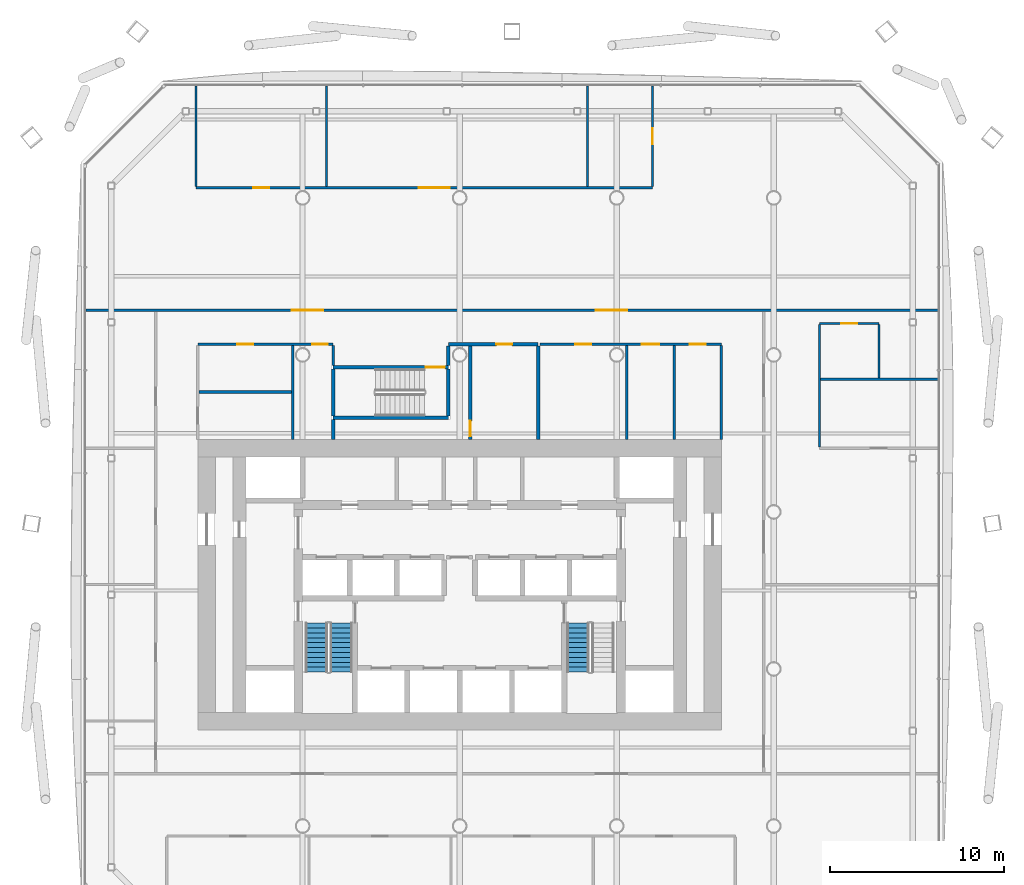
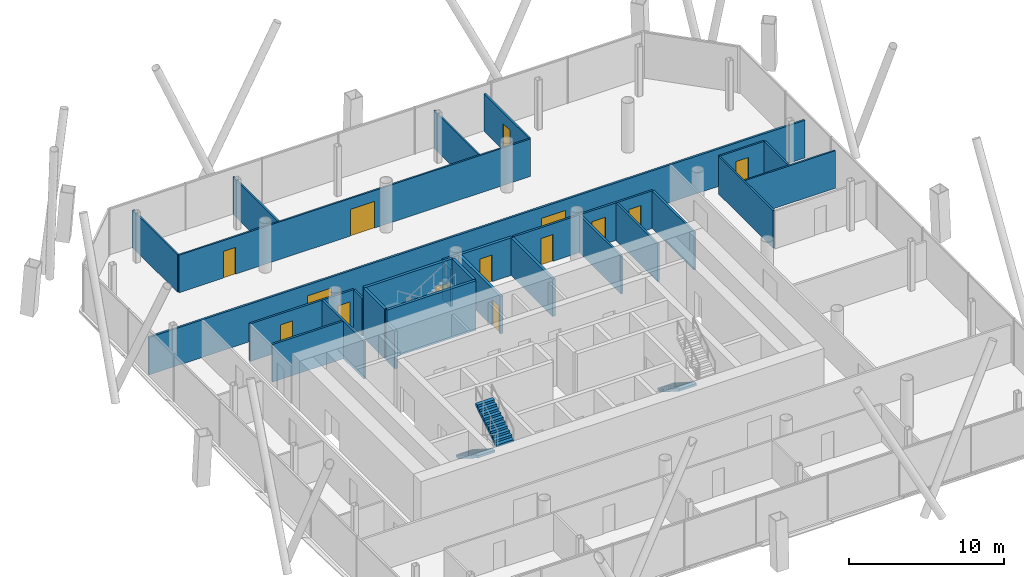
# One storey, part 16 of 22: 27 walls, 14 doors, 3 stair flights, 14 openings, 2 elements without a shape of their own.
"""IFC4 building model written with IfcOpenShell, lengths in metres."""

from ifc_helpers import new_model, si_unit, direction, frame, frame_2d, origin, place, context, subcontext, project, spatial, polyline, rectangle, outline, extrude, material, layer, layer_set, type_object, element, fill, aggregate, save


model = new_model("IFC4")

# Units and contexts
model_context = context("Model", 3, precision=1e-05, world=origin(), true_north=direction((0.0, 1.0)))
body_context = subcontext(model_context, "Body", "Model", "MODEL_VIEW")
ifc_project = project(units=[si_unit("LENGTHUNIT", "METRE"), si_unit("AREAUNIT", "SQUARE_METRE"), si_unit("VOLUMEUNIT", "CUBIC_METRE"), si_unit("PLANEANGLEUNIT", "RADIAN"), si_unit("MASSUNIT", "GRAM", prefix="KILO")], contexts=[model_context])

# Site, building, storey
site_placement = place(None, origin())
site = spatial("IfcSite", under=ifc_project, at=site_placement, CompositionType="ELEMENT")
building_placement = place(site_placement, origin())
building = spatial("IfcBuilding", under=site, at=building_placement, Name="Tskaro Facet Tower", CompositionType="ELEMENT")
storey_placement = place(building_placement, frame((0.0, 0.0, 85.5)))
storey = spatial("IfcBuildingStorey", under=building, at=storey_placement, Name="L20", CompositionType="ELEMENT", Elevation=85.5)

# Wall
ifc_material_1 = material(Name="Gypsum board on steel studs", Category="steel")
ifc_layer_1 = layer(ifc_material_1, 0.125, Name="Gypsum board on steel studs")
ifc_layer_set_1 = layer_set([ifc_layer_1], Name="Gypsum board on steel studs")
wall_type_1 = type_object("IfcWallType", Name="PART", PredefinedType="PARTITIONING", material=ifc_layer_set_1)
wall_1_placement = place(storey_placement, frame((20.6875, 7.60107421875, 0.0), z_axis=(0.0, 0.0, 1.0), x_axis=(1.0, 0.0, 0.0)))
element("IfcWall", 1, at=wall_1_placement, inside=storey, type_object=wall_type_1, Name="Partition W020", PredefinedType="PARTITIONING", context=body_context, shape_type="SweptSolid", body=[
    extrude(rectangle(XDim=6.7255859375, YDim=0.125, at=frame_2d((3.36279296875, 0.0))), origin(), (0.0, 0.0, 1.0), 2.9599609375),
])

# Wall, opening, door
wall_2_placement = place(storey_placement, frame((24.02490234375, 10.801025390625, 0.0), z_axis=(0.0, 0.0, 1.0), x_axis=(-1.0, 0.0, 0.0)))
wall_2 = element("IfcWall", 2, at=wall_2_placement, inside=storey, type_object=wall_type_1, Name="Partition W025", PredefinedType="PARTITIONING", context=body_context, shape_type="SweptSolid", body=[
    extrude(rectangle(XDim=3.39990234375, YDim=0.125, at=frame_2d((1.699951171875, 0.0))), origin(), (0.0, 0.0, 1.0), 2.9599609375),
])
opening_1_placement = place(wall_2_placement, frame((1.25, 0.0, 0.0)))
opening_1 = element("IfcOpeningElement", 3, at=opening_1_placement, cuts=wall_2, Name="Opening T6-D38", PredefinedType="OPENING", context=body_context, shape_type="SweptSolid", body=[
    extrude(rectangle(XDim=0.89990234375, YDim=2.10009765625, at=frame_2d((0.449951171875, 1.050048828125))), frame((0.0, 0.072509765625, 0.0), z_axis=(0.0, -1.0, 0.0), x_axis=(1.0, 0.0, 0.0)), (0.0, 0.0, 1.0), 0.14501953125),
])
ifc_material_2 = material(Name="Timber", Category="wood")
door_type_1 = type_object("IfcDoorType", Name="D-ROOM", OperationType="NOTDEFINED", PredefinedType="DOOR", material=ifc_material_2)
door_1_placement = place(opening_1_placement, origin())
door_1 = element("IfcDoor", 4, at=door_1_placement, inside=storey, type_object=door_type_1, Name="Door T6-D38", OperationType="SINGLE_SWING_RIGHT", OverallHeight=2.10009765625, OverallWidth=0.89990234375, PredefinedType="DOOR", context=body_context, shape_type="SweptSolid", body=[
    extrude(rectangle(XDim=0.89990234375, YDim=2.10009765625, at=frame_2d((0.449951171875, 1.050048828125))), frame((0.0, 0.02490234375, 0.0), z_axis=(0.0, -1.0, 0.0), x_axis=(1.0, 0.0, 0.0)), (0.0, 0.0, 1.0), 0.050048828125),
])
fill(opening_1, door_1)

# Wall, openings, doors
wall_3_placement = place(storey_placement, frame((-15.110107421875, 18.580078125, 0.0), z_axis=(0.0, 0.0, 1.0), x_axis=(1.0, 0.0, 0.0)))
wall_3 = element("IfcWall", 5, at=wall_3_placement, inside=storey, type_object=wall_type_1, Name="Partition W027", PredefinedType="PARTITIONING", context=body_context, shape_type="SweptSolid", body=[
    extrude(rectangle(XDim=26.166015625, YDim=0.125, at=frame_2d((13.0830078125, 0.0))), origin(), (0.0, 0.0, 1.0), 2.9599609375),
])
opening_2_placement = place(wall_3_placement, frame((12.751953125, 0.0, 0.0)))
opening_2 = element("IfcOpeningElement", 6, at=opening_2_placement, cuts=wall_3, Name="Opening T6-D42", PredefinedType="OPENING", context=body_context, shape_type="SweptSolid", body=[
    extrude(rectangle(XDim=1.800048828125, YDim=2.10009765625, at=frame_2d((0.89990234375, 1.050048828125))), frame((0.0, 0.072509765625, 0.0), z_axis=(0.0, -1.0, 0.0), x_axis=(1.0, 0.0, 0.0)), (0.0, 0.0, 1.0), 0.14501953125),
])
opening_3_placement = place(wall_3_placement, frame((3.2880859375, 0.0, 0.0)))
opening_3 = element("IfcOpeningElement", 7, at=opening_3_placement, cuts=wall_3, Name="Opening T6-D41", PredefinedType="OPENING", context=body_context, shape_type="SweptSolid", body=[
    extrude(rectangle(XDim=0.89990234375, YDim=2.10009765625, at=frame_2d((0.449951171875, 1.050048828125))), frame((0.0, 0.072509765625, 0.0), z_axis=(0.0, -1.0, 0.0), x_axis=(1.0, 0.0, 0.0)), (0.0, 0.0, 1.0), 0.14501953125),
])
ifc_material_3 = material(Name="Glass", Category="glass")
door_type_2 = type_object("IfcDoorType", Name="D-ENTRY-PAIR", OperationType="NOTDEFINED", PredefinedType="DOOR", material=ifc_material_3)
door_2_placement = place(opening_2_placement, origin())
door_2 = element("IfcDoor", 8, at=door_2_placement, inside=storey, type_object=door_type_2, Name="Door T6-D42", OperationType="DOUBLE_DOOR_SINGLE_SWING", OverallHeight=2.10009765625, OverallWidth=1.800048828125, PredefinedType="DOOR", context=body_context, shape_type="SweptSolid", body=[
    extrude(rectangle(XDim=1.800048828125, YDim=2.10009765625, at=frame_2d((0.89990234375, 1.050048828125))), frame((0.0, 0.02490234375, 0.0), z_axis=(0.0, -1.0, 0.0), x_axis=(1.0, 0.0, 0.0)), (0.0, 0.0, 1.0), 0.050048828125),
])
fill(opening_2, door_2)
door_3_placement = place(opening_3_placement, origin())
door_3 = element("IfcDoor", 9, at=door_3_placement, inside=storey, type_object=door_type_1, Name="Door T6-D41", OperationType="SINGLE_SWING_LEFT", OverallHeight=2.10009765625, OverallWidth=0.89990234375, PredefinedType="DOOR", context=body_context, shape_type="SweptSolid", body=[
    extrude(rectangle(XDim=0.89990234375, YDim=2.10009765625, at=frame_2d((0.449951171875, 1.050048828125))), frame((0.0, 0.02490234375, 0.0), z_axis=(0.0, -1.0, 0.0), x_axis=(1.0, 0.0, 0.0)), (0.0, 0.0, 1.0), 0.050048828125),
])
fill(opening_3, door_3)

# Walls
for number, where, z_axis, x_axis, name in (
    (10, (-15.110107421875, 18.642578125, 0.0), (0.0, 0.0, 1.0), (0.0, 1.0, 0.0), "Partition W030"),
    (11, (-7.634033203125, 18.642578125, 0.0), (0.0, 0.0, 1.0), (0.0, 1.0, 0.0), "Partition W035"),
    (12, (7.318115234375, 18.642578125, 0.0), (0.0, 0.0, 1.0), (0.0, 1.0, 0.0), "Partition W059"),
):
    element("IfcWall", number, at=place(storey_placement, frame(where, z_axis=z_axis, x_axis=x_axis)), inside=storey, type_object=wall_type_1, Name=name, PredefinedType="PARTITIONING", context=body_context, shape_type="SweptSolid", body=[
        extrude(rectangle(XDim=5.7705078125, YDim=0.125, at=frame_2d((2.88525390625, 0.0))), origin(), (0.0, 0.0, 1.0), 2.9599609375),
    ])

# Wall, opening, door
wall_4_placement = place(storey_placement, frame((11.055908203125, 18.642578125, 0.0), z_axis=(0.0, 0.0, 1.0), x_axis=(0.0, 1.0, 0.0)))
wall_4 = element("IfcWall", 13, at=wall_4_placement, inside=storey, type_object=wall_type_1, Name="Partition W063", PredefinedType="PARTITIONING", context=body_context, shape_type="SweptSolid", body=[
    extrude(rectangle(XDim=5.7705078125, YDim=0.125, at=frame_2d((2.88525390625, 0.0))), origin(), (0.0, 0.0, 1.0), 2.9599609375),
])
opening_4_placement = place(wall_4_placement, frame((2.435302734375, 0.0, 0.0)))
opening_4 = element("IfcOpeningElement", 14, at=opening_4_placement, cuts=wall_4, Name="Opening T6-D43", PredefinedType="OPENING", context=body_context, shape_type="SweptSolid", body=[
    extrude(rectangle(XDim=0.89990234375, YDim=2.10009765625, at=frame_2d((0.449951171875, 1.050048828125))), frame((0.0, 0.072509765625, 0.0), z_axis=(0.0, -1.0, 0.0), x_axis=(1.0, 0.0, 0.0)), (0.0, 0.0, 1.0), 0.14501953125),
])
door_4_placement = place(opening_4_placement, origin())
door_4 = element("IfcDoor", 15, at=door_4_placement, inside=storey, type_object=door_type_1, Name="Door T6-D43", OperationType="SINGLE_SWING_LEFT", OverallHeight=2.10009765625, OverallWidth=0.89990234375, PredefinedType="DOOR", context=body_context, shape_type="SweptSolid", body=[
    extrude(rectangle(XDim=0.89990234375, YDim=2.10009765625, at=frame_2d((0.449951171875, 1.050048828125))), frame((0.0, 0.02490234375, 0.0), z_axis=(0.0, -1.0, 0.0), x_axis=(1.0, 0.0, 0.0)), (0.0, 0.0, 1.0), 0.050048828125),
])
fill(opening_4, door_4)

# Walls
wall_5_placement = place(storey_placement, frame((20.625, 3.71044921875, 0.0), z_axis=(0.0, 0.0, 1.0), x_axis=(0.0, 1.0, 0.0)))
element("IfcWall", 16, at=wall_5_placement, inside=storey, type_object=wall_type_1, Name="Partition W068", PredefinedType="PARTITIONING", context=body_context, shape_type="SweptSolid", body=[
    extrude(rectangle(XDim=7.028076171875, YDim=0.125, at=frame_2d((3.51416015625, 0.0))), origin(), (0.0, 0.0, 1.0), 2.9599609375),
])
wall_6_placement = place(storey_placement, frame((24.02490234375, 7.66357421875, 0.0), z_axis=(0.0, 0.0, 1.0), x_axis=(0.0, 1.0, 0.0)))
element("IfcWall", 17, at=wall_6_placement, inside=storey, type_object=wall_type_1, Name="Partition W069", PredefinedType="PARTITIONING", context=body_context, shape_type="SweptSolid", body=[
    extrude(rectangle(XDim=3.074951171875, YDim=0.125, at=frame_2d((1.53759765625, 0.0))), origin(), (0.0, 0.0, 1.0), 2.9599609375),
])
ifc_layer_2 = layer(ifc_material_1, 0.14990234375, Name="Gypsum board on steel studs")
ifc_layer_set_2 = layer_set([ifc_layer_2], Name="Gypsum board on steel studs")
wall_type_2 = type_object("IfcWallType", Name="PART-CORR", PredefinedType="PARTITIONING", material=ifc_layer_set_2)
wall_7_placement = place(storey_placement, frame((-14.925048828125, 6.8779296875, 0.0), z_axis=(0.0, 0.0, 1.0), x_axis=(1.0, 0.0, 0.0)))
element("IfcWall", 18, at=wall_7_placement, inside=storey, type_object=wall_type_2, Name="Corridor wall W019", PredefinedType="PARTITIONING", context=body_context, shape_type="SweptSolid", body=[
    extrude(rectangle(XDim=5.275146484375, YDim=0.14990234375, at=frame_2d((2.6376953125, 0.0))), origin(), (0.0, 0.0, 1.0), 2.9599609375),
])

# Wall, openings, doors
wall_8_placement = place(storey_placement, frame((-7.25, 9.60498046875, 0.0), z_axis=(0.0, 0.0, 1.0), x_axis=(-1.0, 0.0, 0.0)))
wall_8 = element("IfcWall", 19, at=wall_8_placement, inside=storey, type_object=wall_type_2, Name="Corridor wall W022", PredefinedType="PARTITIONING", context=body_context, shape_type="SweptSolid", body=[
    extrude(rectangle(XDim=7.75, YDim=0.14990234375, at=frame_2d((3.875, 0.0))), origin(), (0.0, 0.0, 1.0), 2.9599609375),
])
opening_5_placement = place(wall_8_placement, frame((0.3125, 0.0, 0.0)))
opening_5 = element("IfcOpeningElement", 20, at=opening_5_placement, cuts=wall_8, Name="Opening T6-D33", PredefinedType="OPENING", context=body_context, shape_type="SweptSolid", body=[
    extrude(rectangle(XDim=0.89990234375, YDim=2.10009765625, at=frame_2d((0.449951171875, 1.050048828125))), frame((0.0, 0.0849609375, 0.0), z_axis=(0.0, -1.0, 0.0), x_axis=(1.0, 0.0, 0.0)), (0.0, 0.0, 1.0), 0.169921875),
])
opening_6_placement = place(wall_8_placement, frame((4.58740234375, 0.0, 0.0)))
opening_6 = element("IfcOpeningElement", 21, at=opening_6_placement, cuts=wall_8, Name="Opening T6-D32", PredefinedType="OPENING", context=body_context, shape_type="SweptSolid", body=[
    extrude(rectangle(XDim=0.89990234375, YDim=2.10009765625, at=frame_2d((0.449951171875, 1.050048828125))), frame((0.0, 0.0849609375, 0.0), z_axis=(0.0, -1.0, 0.0), x_axis=(1.0, 0.0, 0.0)), (0.0, 0.0, 1.0), 0.169921875),
])
ifc_material_4 = material(Name="Steel", Category="steel")
door_type_3 = type_object("IfcDoorType", Name="D-RISER", OperationType="NOTDEFINED", PredefinedType="DOOR", material=ifc_material_4)
door_5_placement = place(opening_5_placement, origin())
door_5 = element("IfcDoor", 22, at=door_5_placement, inside=storey, type_object=door_type_3, Name="Door T6-D33", OperationType="SINGLE_SWING_RIGHT", OverallHeight=2.10009765625, OverallWidth=0.89990234375, PredefinedType="DOOR", context=body_context, shape_type="SweptSolid", body=[
    extrude(rectangle(XDim=0.89990234375, YDim=2.10009765625, at=frame_2d((0.449951171875, 1.050048828125))), frame((0.0, 0.02490234375, 0.0), z_axis=(0.0, -1.0, 0.0), x_axis=(1.0, 0.0, 0.0)), (0.0, 0.0, 1.0), 0.050048828125),
])
fill(opening_5, door_5)
door_6_placement = place(opening_6_placement, origin())
door_6 = element("IfcDoor", 23, at=door_6_placement, inside=storey, type_object=door_type_1, Name="Door T6-D32", OperationType="SINGLE_SWING_RIGHT", OverallHeight=2.10009765625, OverallWidth=0.89990234375, PredefinedType="DOOR", context=body_context, shape_type="SweptSolid", body=[
    extrude(rectangle(XDim=0.89990234375, YDim=2.10009765625, at=frame_2d((0.449951171875, 1.050048828125))), frame((0.0, 0.02490234375, 0.0), z_axis=(0.0, -1.0, 0.0), x_axis=(1.0, 0.0, 0.0)), (0.0, 0.0, 1.0), 0.050048828125),
])
fill(opening_6, door_6)

wall_9_placement = place(storey_placement, frame((15.0, 9.60498046875, 0.0), z_axis=(0.0, 0.0, 1.0), x_axis=(-1.0, 0.0, 0.0)))
wall_9 = element("IfcWall", 24, at=wall_9_placement, inside=storey, type_object=wall_type_2, Name="Corridor wall W024", PredefinedType="PARTITIONING", context=body_context, shape_type="SweptSolid", body=[
    extrude(rectangle(XDim=10.39990234375, YDim=0.14990234375, at=frame_2d((5.199951171875, 0.0))), origin(), (0.0, 0.0, 1.0), 2.9599609375),
])
opening_7_placement = place(wall_9_placement, frame((0.89990234375, 0.0, 0.0)))
opening_7 = element("IfcOpeningElement", 25, at=opening_7_placement, cuts=wall_9, Name="Opening T6-D37", PredefinedType="OPENING", context=body_context, shape_type="SweptSolid", body=[
    extrude(rectangle(XDim=0.89990234375, YDim=2.10009765625, at=frame_2d((0.449951171875, 1.050048828125))), frame((0.0, 0.0849609375, 0.0), z_axis=(0.0, -1.0, 0.0), x_axis=(1.0, 0.0, 0.0)), (0.0, 0.0, 1.0), 0.169921875),
])
opening_8_placement = place(wall_9_placement, frame((7.46240234375, 0.0, 0.0)))
opening_8 = element("IfcOpeningElement", 26, at=opening_8_placement, cuts=wall_9, Name="Opening T6-D35", PredefinedType="OPENING", context=body_context, shape_type="SweptSolid", body=[
    extrude(rectangle(XDim=0.89990234375, YDim=2.10009765625, at=frame_2d((0.449951171875, 1.050048828125))), frame((0.0, 0.0849609375, 0.0), z_axis=(0.0, -1.0, 0.0), x_axis=(1.0, 0.0, 0.0)), (0.0, 0.0, 1.0), 0.169921875),
])
opening_9_placement = place(wall_9_placement, frame((3.5625, 0.0, 0.0)))
opening_9 = element("IfcOpeningElement", 27, at=opening_9_placement, cuts=wall_9, Name="Opening T6-D36", PredefinedType="OPENING", context=body_context, shape_type="SweptSolid", body=[
    extrude(rectangle(XDim=1.0, YDim=2.10009765625, at=frame_2d((0.5, 1.050048828125))), frame((0.0, 0.0849609375, 0.0), z_axis=(0.0, -1.0, 0.0), x_axis=(1.0, 0.0, 0.0)), (0.0, 0.0, 1.0), 0.169921875),
])
door_7_placement = place(opening_7_placement, origin())
door_7 = element("IfcDoor", 28, at=door_7_placement, inside=storey, type_object=door_type_1, Name="Door T6-D37", OperationType="SINGLE_SWING_RIGHT", OverallHeight=2.10009765625, OverallWidth=0.89990234375, PredefinedType="DOOR", context=body_context, shape_type="SweptSolid", body=[
    extrude(rectangle(XDim=0.89990234375, YDim=2.10009765625, at=frame_2d((0.449951171875, 1.050048828125))), frame((0.0, 0.02490234375, 0.0), z_axis=(0.0, -1.0, 0.0), x_axis=(1.0, 0.0, 0.0)), (0.0, 0.0, 1.0), 0.050048828125),
])
fill(opening_7, door_7)
door_8_placement = place(opening_8_placement, origin())
door_8 = element("IfcDoor", 29, at=door_8_placement, inside=storey, type_object=door_type_1, Name="Door T6-D35", OperationType="SINGLE_SWING_RIGHT", OverallHeight=2.10009765625, OverallWidth=0.89990234375, PredefinedType="DOOR", context=body_context, shape_type="SweptSolid", body=[
    extrude(rectangle(XDim=0.89990234375, YDim=2.10009765625, at=frame_2d((0.449951171875, 1.050048828125))), frame((0.0, 0.02490234375, 0.0), z_axis=(0.0, -1.0, 0.0), x_axis=(1.0, 0.0, 0.0)), (0.0, 0.0, 1.0), 0.050048828125),
])
fill(opening_8, door_8)
door_type_4 = type_object("IfcDoorType", Name="D-ROOM-WIDE", OperationType="NOTDEFINED", PredefinedType="DOOR", material=ifc_material_2)
door_9_placement = place(opening_9_placement, origin())
door_9 = element("IfcDoor", 30, at=door_9_placement, inside=storey, type_object=door_type_4, Name="Door T6-D36", OperationType="SINGLE_SWING_RIGHT", OverallHeight=2.10009765625, OverallWidth=1.0, PredefinedType="DOOR", context=body_context, shape_type="SweptSolid", body=[
    extrude(rectangle(XDim=1.0, YDim=2.10009765625, at=frame_2d((0.5, 1.050048828125))), frame((0.0, 0.02490234375, 0.0), z_axis=(0.0, -1.0, 0.0), x_axis=(1.0, 0.0, 0.0)), (0.0, 0.0, 1.0), 0.050048828125),
])
fill(opening_9, door_9)

wall_10_placement = place(storey_placement, frame((27.4130859375, 11.554931640625, 0.0), z_axis=(0.0, 0.0, 1.0), x_axis=(-1.0, 0.0, 0.0)))
wall_10 = element("IfcWall", 31, at=wall_10_placement, inside=storey, type_object=wall_type_2, Name="Corridor wall W026", PredefinedType="PARTITIONING", context=body_context, shape_type="SweptSolid", body=[
    extrude(rectangle(XDim=48.826171875, YDim=0.14990234375, at=frame_2d((24.4130859375, 0.0))), origin(), (0.0, 0.0, 1.0), 2.9599609375),
])
opening_10_placement = place(wall_10_placement, frame((35.22607421875, 0.0, 0.0)))
opening_10 = element("IfcOpeningElement", 32, at=opening_10_placement, cuts=wall_10, Name="Opening T6-D39", PredefinedType="OPENING", context=body_context, shape_type="SweptSolid", body=[
    extrude(rectangle(XDim=1.800048828125, YDim=2.10009765625, at=frame_2d((0.89990234375, 1.050048828125))), frame((0.0, 0.0849609375, 0.0), z_axis=(0.0, -1.0, 0.0), x_axis=(1.0, 0.0, 0.0)), (0.0, 0.0, 1.0), 0.169921875),
])
opening_11_placement = place(wall_10_placement, frame((17.800048828125, 0.0, 0.0)))
opening_11 = element("IfcOpeningElement", 33, at=opening_11_placement, cuts=wall_10, Name="Opening T6-D40", PredefinedType="OPENING", context=body_context, shape_type="SweptSolid", body=[
    extrude(rectangle(XDim=1.800048828125, YDim=2.10009765625, at=frame_2d((0.89990234375, 1.050048828125))), frame((0.0, 0.0849609375, 0.0), z_axis=(0.0, -1.0, 0.0), x_axis=(1.0, 0.0, 0.0)), (0.0, 0.0, 1.0), 0.169921875),
])
door_10_placement = place(opening_10_placement, origin())
door_10 = element("IfcDoor", 34, at=door_10_placement, inside=storey, type_object=door_type_2, Name="Door T6-D39", OperationType="DOUBLE_DOOR_SINGLE_SWING", OverallHeight=2.10009765625, OverallWidth=1.800048828125, PredefinedType="DOOR", context=body_context, shape_type="SweptSolid", body=[
    extrude(rectangle(XDim=1.800048828125, YDim=2.10009765625, at=frame_2d((0.89990234375, 1.050048828125))), frame((0.0, 0.02490234375, 0.0), z_axis=(0.0, -1.0, 0.0), x_axis=(1.0, 0.0, 0.0)), (0.0, 0.0, 1.0), 0.050048828125),
])
fill(opening_10, door_10)
door_11_placement = place(opening_11_placement, origin())
door_11 = element("IfcDoor", 35, at=door_11_placement, inside=storey, type_object=door_type_2, Name="Door T6-D40", OperationType="DOUBLE_DOOR_SINGLE_SWING", OverallHeight=2.10009765625, OverallWidth=1.800048828125, PredefinedType="DOOR", context=body_context, shape_type="SweptSolid", body=[
    extrude(rectangle(XDim=1.800048828125, YDim=2.10009765625, at=frame_2d((0.89990234375, 1.050048828125))), frame((0.0, 0.02490234375, 0.0), z_axis=(0.0, -1.0, 0.0), x_axis=(1.0, 0.0, 0.0)), (0.0, 0.0, 1.0), 0.050048828125),
])
fill(opening_11, door_11)

# Walls
wall_11_placement = place(storey_placement, frame((-9.574951171875, 4.14990234375, 0.0), z_axis=(0.0, 0.0, 1.0), x_axis=(0.0, 1.0, 0.0)))
element("IfcWall", 36, at=wall_11_placement, inside=storey, type_object=wall_type_2, Name="Corridor wall W032", PredefinedType="PARTITIONING", context=body_context, shape_type="SweptSolid", body=[
    extrude(rectangle(XDim=5.380126953125, YDim=0.14990234375, at=frame_2d((2.68994140625, 0.0))), origin(), (0.0, 0.0, 1.0), 2.9599609375),
])
wall_12_placement = place(storey_placement, frame((-7.25, 8.39990234375, 0.0), z_axis=(0.0, 0.0, 1.0), x_axis=(0.0, 1.0, 0.0)))
element("IfcWall", 37, at=wall_12_placement, inside=storey, type_object=wall_type_2, Name="Corridor wall W038", PredefinedType="PARTITIONING", context=body_context, shape_type="SweptSolid", body=[
    extrude(rectangle(XDim=1.130126953125, YDim=0.14990234375, at=frame_2d((0.56494140625, 0.0))), origin(), (0.0, 0.0, 1.0), 2.9599609375),
])
for number, where, z_axis, x_axis, name in (
    (38, (9.574951171875, 4.14990234375, 0.0), (0.0, 0.0, 1.0), (0.0, 1.0, 0.0), "Corridor wall W062"),
    (39, (12.300048828125, 4.14990234375, 0.0), (0.0, 0.0, 1.0), (0.0, 1.0, 0.0), "Corridor wall W064"),
    (40, (15.0, 4.14990234375, 0.0), (0.0, 0.0, 1.0), (0.0, 1.0, 0.0), "Corridor wall W065"),
):
    element("IfcWall", number, at=place(storey_placement, frame(where, z_axis=z_axis, x_axis=x_axis)), inside=storey, type_object=wall_type_2, Name=name, PredefinedType="PARTITIONING", context=body_context, shape_type="SweptSolid", body=[
        extrude(rectangle(XDim=5.380126953125, YDim=0.14990234375, at=frame_2d((2.68994140625, 0.0))), origin(), (0.0, 0.0, 1.0), 2.9599609375),
    ])
ifc_material_5 = material(Name="Concrete C60/75", Category="concrete")
ifc_layer_3 = layer(ifc_material_5, 0.199951171875, Name="Concrete C60/75")
ifc_layer_set_3 = layer_set([ifc_layer_3], Name="Concrete C60/75")
wall_type_3 = type_object("IfcWallType", Name="STAIR-WALL", PredefinedType="SHEAR", material=ifc_layer_set_3)
wall_13_placement = place(storey_placement, frame((-7.25, 5.39990234375, 0.0), z_axis=(0.0, 0.0, 1.0), x_axis=(1.0, 0.0, 0.0)))
element("IfcWall", 41, at=wall_13_placement, inside=storey, type_object=wall_type_3, Name="Stair wall W018", PredefinedType="SHEAR", context=body_context, shape_type="SweptSolid", body=[
    extrude(rectangle(XDim=6.60009765625, YDim=0.199951171875, at=frame_2d((3.300048828125, 0.0))), origin(), (0.0, 0.0, 1.0), 3.89990234375),
])

# Wall, opening, door
wall_14_placement = place(storey_placement, frame((-0.64990234375, 8.300048828125, 0.0), z_axis=(0.0, 0.0, 1.0), x_axis=(-1.0, 0.0, 0.0)))
wall_14 = element("IfcWall", 42, at=wall_14_placement, inside=storey, type_object=wall_type_3, Name="Stair wall W021", PredefinedType="SHEAR", context=body_context, shape_type="SweptSolid", body=[
    extrude(rectangle(XDim=6.60009765625, YDim=0.199951171875, at=frame_2d((3.300048828125, 0.0))), origin(), (0.0, 0.0, 1.0), 3.89990234375),
])
opening_12_placement = place(wall_14_placement, frame((0.199951171875, 0.0, 0.0)))
opening_12 = element("IfcOpeningElement", 43, at=opening_12_placement, cuts=wall_14, Name="Opening ST-3-D1", PredefinedType="OPENING", context=body_context, shape_type="SweptSolid", body=[
    extrude(rectangle(XDim=1.10009765625, YDim=2.10009765625, at=frame_2d((0.550048828125, 1.050048828125))), frame((0.0, 0.10986328125, 0.0), z_axis=(0.0, -1.0, 0.0), x_axis=(1.0, 0.0, 0.0)), (0.0, 0.0, 1.0), 0.219970703125),
])
door_type_5 = type_object("IfcDoorType", Name="D-STAIR", OperationType="NOTDEFINED", PredefinedType="DOOR", material=ifc_material_4)
door_12_placement = place(opening_12_placement, origin())
door_12 = element("IfcDoor", 44, at=door_12_placement, inside=storey, type_object=door_type_5, Name="Stair door 3", OperationType="SINGLE_SWING_RIGHT", OverallHeight=2.10009765625, OverallWidth=1.10009765625, PredefinedType="DOOR", context=body_context, shape_type="SweptSolid", body=[
    extrude(rectangle(XDim=1.10009765625, YDim=2.10009765625, at=frame_2d((0.550048828125, 1.050048828125))), frame((0.0, 0.02490234375, 0.0), z_axis=(0.0, -1.0, 0.0), x_axis=(1.0, 0.0, 0.0)), (0.0, 0.0, 1.0), 0.050048828125),
])
fill(opening_12, door_12)

# Walls
for number, where, z_axis, x_axis, name in (
    (45, (-7.25, 5.5, 0.0), (0.0, 0.0, 1.0), (0.0, 1.0, 0.0), "Stair wall W037"),
    (46, (-0.64990234375, 5.5, 0.0), (0.0, 0.0, 1.0), (0.0, 1.0, 0.0), "Stair wall W046"),
):
    element("IfcWall", number, at=place(storey_placement, frame(where, z_axis=z_axis, x_axis=x_axis)), inside=storey, type_object=wall_type_3, Name=name, PredefinedType="SHEAR", context=body_context, shape_type="SweptSolid", body=[
        extrude(rectangle(XDim=2.699951171875, YDim=0.199951171875, at=frame_2d((1.35009765625, 0.0))), origin(), (0.0, 0.0, 1.0), 3.89990234375),
    ])

# Wall, opening, door
ifc_material_6 = material(Name="Concrete C20/25", Category="concrete")
ifc_layer_4 = layer(ifc_material_6, 0.199951171875, Name="Concrete C20/25")
ifc_layer_set_4 = layer_set([ifc_layer_4], Name="Concrete C20/25")
wall_type_4 = type_object("IfcWallType", Name="WALL-RISER", PredefinedType="SOLIDWALL", material=ifc_layer_set_4)
wall_15_placement = place(storey_placement, frame((4.5, 9.60498046875, 0.0), z_axis=(0.0, 0.0, 1.0), x_axis=(-1.0, 0.0, 0.0)))
wall_15 = element("IfcWall", 47, at=wall_15_placement, inside=storey, type_object=wall_type_4, Name="Riser room wall W023", PredefinedType="SOLIDWALL", context=body_context, shape_type="SweptSolid", body=[
    extrude(rectangle(XDim=5.14990234375, YDim=0.199951171875, at=frame_2d((2.574951171875, 0.0))), origin(), (0.0, 0.0, 1.0), 2.9599609375),
])
opening_13_placement = place(wall_15_placement, frame((1.5, 0.0, 0.0)))
opening_13 = element("IfcOpeningElement", 48, at=opening_13_placement, cuts=wall_15, Name="Opening T6-D34", PredefinedType="OPENING", context=body_context, shape_type="SweptSolid", body=[
    extrude(rectangle(XDim=0.89990234375, YDim=2.10009765625, at=frame_2d((0.449951171875, 1.050048828125))), frame((0.0, 0.10986328125, 0.0), z_axis=(0.0, -1.0, 0.0), x_axis=(1.0, 0.0, 0.0)), (0.0, 0.0, 1.0), 0.219970703125),
])
door_13_placement = place(opening_13_placement, origin())
door_13 = element("IfcDoor", 49, at=door_13_placement, inside=storey, type_object=door_type_3, Name="Door T6-D34", OperationType="SINGLE_SWING_RIGHT", OverallHeight=2.10009765625, OverallWidth=0.89990234375, PredefinedType="DOOR", context=body_context, shape_type="SweptSolid", body=[
    extrude(rectangle(XDim=0.89990234375, YDim=2.10009765625, at=frame_2d((0.449951171875, 1.050048828125))), frame((0.0, 0.02490234375, 0.0), z_axis=(0.0, -1.0, 0.0), x_axis=(1.0, 0.0, 0.0)), (0.0, 0.0, 1.0), 0.050048828125),
])
fill(opening_13, door_13)

# Walls
wall_16_placement = place(storey_placement, frame((-7.25, 4.14990234375, 0.0), z_axis=(0.0, 0.0, 1.0), x_axis=(0.0, 1.0, 0.0)))
element("IfcWall", 50, at=wall_16_placement, inside=storey, type_object=wall_type_4, Name="Riser room wall W036", PredefinedType="SOLIDWALL", context=body_context, shape_type="SweptSolid", body=[
    extrude(rectangle(XDim=1.150146484375, YDim=0.199951171875, at=frame_2d((0.5751953125, 0.0))), origin(), (0.0, 0.0, 1.0), 2.9599609375),
])
wall_17_placement = place(storey_placement, frame((-0.64990234375, 8.39990234375, 0.0), z_axis=(0.0, 0.0, 1.0), x_axis=(0.0, 1.0, 0.0)))
element("IfcWall", 51, at=wall_17_placement, inside=storey, type_object=wall_type_4, Name="Riser room wall W047", PredefinedType="SOLIDWALL", context=body_context, shape_type="SweptSolid", body=[
    extrude(rectangle(XDim=1.10498046875, YDim=0.199951171875, at=frame_2d((0.552490234375, 0.0))), origin(), (0.0, 0.0, 1.0), 2.9599609375),
])

# Wall, opening, door
wall_18_placement = place(storey_placement, frame((0.60009765625, 4.14990234375, 0.0), z_axis=(0.0, 0.0, 1.0), x_axis=(0.0, 1.0, 0.0)))
wall_18 = element("IfcWall", 52, at=wall_18_placement, inside=storey, type_object=wall_type_4, Name="Riser room wall W050", PredefinedType="SOLIDWALL", context=body_context, shape_type="SweptSolid", body=[
    extrude(rectangle(XDim=5.35498046875, YDim=0.199951171875, at=frame_2d((2.677490234375, 0.0))), origin(), (0.0, 0.0, 1.0), 2.9599609375),
])
opening_14_placement = place(wall_18_placement, frame((0.175048828125, 0.0, 0.0)))
opening_14 = element("IfcOpeningElement", 53, at=opening_14_placement, cuts=wall_18, Name="Opening T6-D28", PredefinedType="OPENING", context=body_context, shape_type="SweptSolid", body=[
    extrude(rectangle(XDim=0.89990234375, YDim=2.10009765625, at=frame_2d((0.449951171875, 1.050048828125))), frame((0.0, 0.10986328125, 0.0), z_axis=(0.0, -1.0, 0.0), x_axis=(1.0, 0.0, 0.0)), (0.0, 0.0, 1.0), 0.219970703125),
])
door_14_placement = place(opening_14_placement, origin())
door_14 = element("IfcDoor", 54, at=door_14_placement, inside=storey, type_object=door_type_3, Name="Door T6-D28", OperationType="SINGLE_SWING_LEFT", OverallHeight=2.10009765625, OverallWidth=0.89990234375, PredefinedType="DOOR", context=body_context, shape_type="SweptSolid", body=[
    extrude(rectangle(XDim=0.89990234375, YDim=2.10009765625, at=frame_2d((0.449951171875, 1.050048828125))), frame((0.0, 0.02490234375, 0.0), z_axis=(0.0, -1.0, 0.0), x_axis=(1.0, 0.0, 0.0)), (0.0, 0.0, 1.0), 0.050048828125),
])
fill(opening_14, door_14)

# Wall
wall_19_placement = place(storey_placement, frame((4.5, 4.14990234375, 0.0), z_axis=(0.0, 0.0, 1.0), x_axis=(0.0, 1.0, 0.0)))
element("IfcWall", 55, at=wall_19_placement, inside=storey, type_object=wall_type_4, Name="Riser room wall W056", PredefinedType="SOLIDWALL", context=body_context, shape_type="SweptSolid", body=[
    extrude(rectangle(XDim=5.35498046875, YDim=0.199951171875, at=frame_2d((2.677490234375, 0.0))), origin(), (0.0, 0.0, 1.0), 2.9599609375),
])

# Stair, stair flights
ifc_material_7 = material(Name="Concrete C40/50", Category="concrete")
stair_type = type_object("IfcStairType", Name="ST-TWR", PredefinedType="HALF_TURN_STAIR", material=ifc_material_7)
stair_1_placement = place(storey_placement, origin())
stair_1 = element("IfcStair", 56, at=stair_1_placement, inside=storey, type_object=stair_type, Name="L20 Exit stair 1", PredefinedType="HALF_TURN_STAIR")
stair_flight_type = type_object("IfcStairFlightType", Name="SFL-RC", PredefinedType="STRAIGHT", material=ifc_material_7)
stair_flight_1_placement = place(storey_placement, frame((-8.21240234375, -6.375, 0.0), z_axis=(0.0, 0.0, 1.0), x_axis=(0.0, -1.0, 0.0)))
stair_flight_1 = element("IfcStairFlight", 57, at=stair_flight_1_placement, type_object=stair_flight_type, Name="ST-1 flight 1", NumberOfRisers=11, NumberOfTreads=10, PredefinedType="STRAIGHT", RiserHeight=0.177272727, TreadLength=0.28, context=body_context, shape_type="SweptSolid", body=[
    extrude(outline(polyline([(0.0, 0.0), (0.0, 0.17724609375), (0.280029296875, 0.17724609375), (0.280029296875, 0.3544921875), (0.56005859375, 0.3544921875), (0.56005859375, 0.53173828125), (0.840087890625, 0.53173828125), (0.840087890625, 0.708984375), (1.1201171875, 0.708984375), (1.1201171875, 0.886474609375), (1.39990234375, 0.886474609375), (1.39990234375, 1.063720703125), (1.679931640625, 1.063720703125), (1.679931640625, 1.240966796875), (1.9599609375, 1.240966796875), (1.9599609375, 1.418212890625), (2.239990234375, 1.418212890625), (2.239990234375, 1.595458984375), (2.52001953125, 1.595458984375), (2.52001953125, 1.772705078125), (2.800048828125, 1.772705078125), (2.800048828125, 1.949951171875), (2.800048828125, 1.59521484375), (0.2802734375, 0.0), (0.0, 0.0)])), frame((0.0, 0.637451171875, 0.0), z_axis=(0.0, -1.0, 0.0), x_axis=(1.0, 0.0, 0.0)), (0.0, 0.0, 1.0), 1.27490234375),
])
stair_flight_2_placement = place(storey_placement, frame((-6.78759765625, -9.175048828125, 1.949951171875), z_axis=(0.0, 0.0, 1.0), x_axis=(0.0, 1.0, 0.0)))
stair_flight_2 = element("IfcStairFlight", 58, at=stair_flight_2_placement, type_object=stair_flight_type, Name="ST-1 flight 2", NumberOfRisers=11, NumberOfTreads=10, PredefinedType="STRAIGHT", RiserHeight=0.177272727, TreadLength=0.28, context=body_context, shape_type="SweptSolid", body=[
    extrude(outline(polyline([(0.0, 0.0), (0.0, 0.17724609375), (0.280029296875, 0.17724609375), (0.280029296875, 0.3544921875), (0.56005859375, 0.3544921875), (0.56005859375, 0.53173828125), (0.840087890625, 0.53173828125), (0.840087890625, 0.708984375), (1.1201171875, 0.708984375), (1.1201171875, 0.886474609375), (1.39990234375, 0.886474609375), (1.39990234375, 1.063720703125), (1.679931640625, 1.063720703125), (1.679931640625, 1.240966796875), (1.9599609375, 1.240966796875), (1.9599609375, 1.418212890625), (2.239990234375, 1.418212890625), (2.239990234375, 1.595458984375), (2.52001953125, 1.595458984375), (2.52001953125, 1.772705078125), (2.800048828125, 1.772705078125), (2.800048828125, 1.949951171875), (2.800048828125, 1.59521484375), (0.2802734375, 0.0), (0.0, 0.0)])), frame((0.0, 0.637451171875, 0.0), z_axis=(0.0, -1.0, 0.0), x_axis=(1.0, 0.0, 0.0)), (0.0, 0.0, 1.0), 1.27490234375),
])
aggregate(stair_1, [stair_flight_1, stair_flight_2])

# Stair, stair flight
stair_2_placement = place(storey_placement, origin())
stair_2 = element("IfcStair", 59, at=stair_2_placement, inside=storey, type_object=stair_type, Name="L20 Exit stair 2", PredefinedType="HALF_TURN_STAIR")
stair_flight_3_placement = place(storey_placement, frame((6.78759765625, -6.375, 0.0), z_axis=(0.0, 0.0, 1.0), x_axis=(0.0, -1.0, 0.0)))
stair_flight_3 = element("IfcStairFlight", 60, at=stair_flight_3_placement, type_object=stair_flight_type, Name="ST-2 flight 1", NumberOfRisers=11, NumberOfTreads=10, PredefinedType="STRAIGHT", RiserHeight=0.177272727, TreadLength=0.28, context=body_context, shape_type="SweptSolid", body=[
    extrude(outline(polyline([(0.0, 0.0), (0.0, 0.17724609375), (0.280029296875, 0.17724609375), (0.280029296875, 0.3544921875), (0.56005859375, 0.3544921875), (0.56005859375, 0.53173828125), (0.840087890625, 0.53173828125), (0.840087890625, 0.708984375), (1.1201171875, 0.708984375), (1.1201171875, 0.886474609375), (1.39990234375, 0.886474609375), (1.39990234375, 1.063720703125), (1.679931640625, 1.063720703125), (1.679931640625, 1.240966796875), (1.9599609375, 1.240966796875), (1.9599609375, 1.418212890625), (2.239990234375, 1.418212890625), (2.239990234375, 1.595458984375), (2.52001953125, 1.595458984375), (2.52001953125, 1.772705078125), (2.800048828125, 1.772705078125), (2.800048828125, 1.949951171875), (2.800048828125, 1.59521484375), (0.2802734375, 0.0), (0.0, 0.0)])), frame((0.0, 0.637451171875, 0.0), z_axis=(0.0, -1.0, 0.0), x_axis=(1.0, 0.0, 0.0)), (0.0, 0.0, 1.0), 1.27490234375),
])
aggregate(stair_2, [stair_flight_3])

save(model, "model.ifc")
